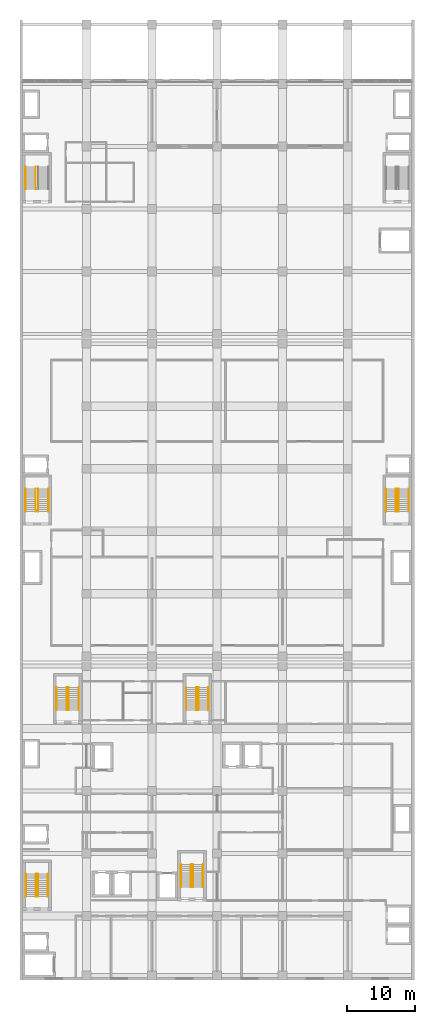
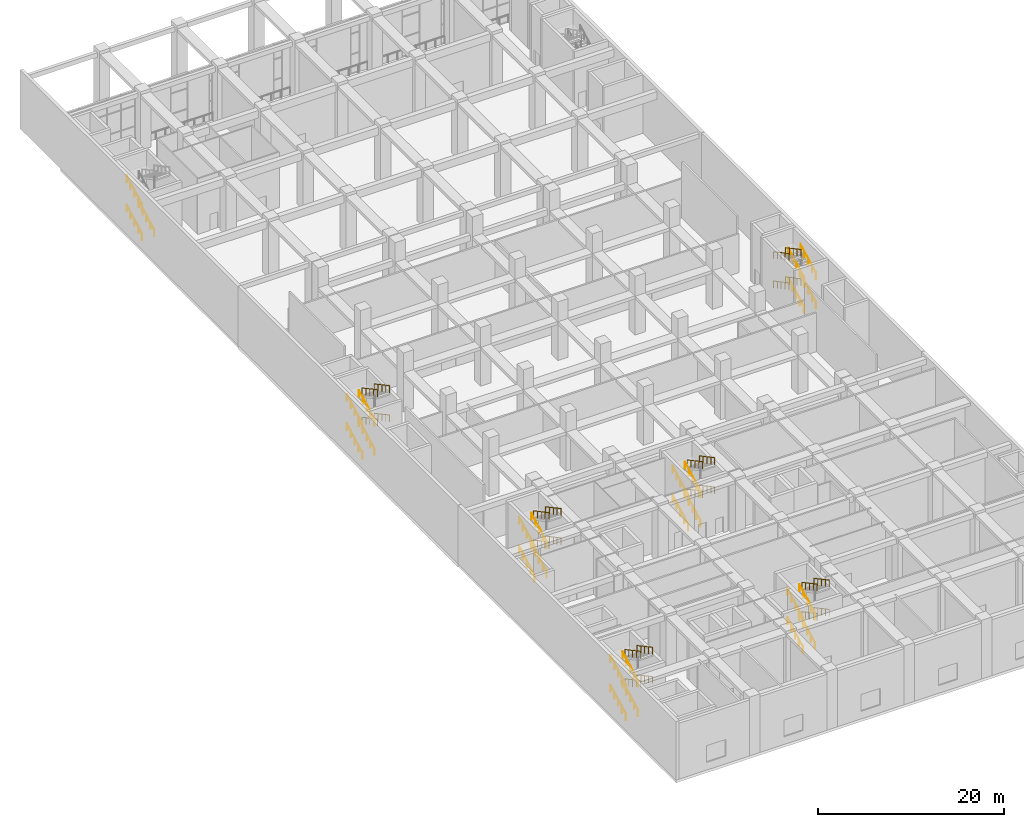
# One storey, part 19 of 33: 51 railings.
"""IFC4 building model written with IfcOpenShell, lengths in metres."""

import ifcopenshell
import ifcopenshell.guid

model = None  # the IFC model being written
_history = None  # IfcOwnerHistory: only IFC2X3 demands one
_inside = {}  # id of a spatial element -> (the spatial element, [elements in it])
_under = {}  # id of a project, library or spatial element -> (it, [spatial elements below it])
_declared = {}  # id of a project -> (the project, [libraries it declares])
_typed = {}  # id of a type object -> (the type object, [elements of that type])
_made_of = {}  # id of a material, layer set ... -> (it, [elements and type objects made of it])


def new_model(schema):
    """Start an empty IFC model of exactly this schema.

    Asked for "IFC4X3", IfcOpenShell would pick the latest addendum, in which some entities
    have other attributes; the version numbers below select the first issue.
    IFC2X3 requires an IfcOwnerHistory on every rooted entity: one is made here for all.
    """
    global model, _history
    if schema == "IFC4X3":
        model = ifcopenshell.file(schema_version=(4, 3, 0, 0))
    else:
        model = ifcopenshell.file(schema=schema)
    _inside.clear()
    _under.clear()
    _declared.clear()
    _typed.clear()
    _made_of.clear()
    _history = None
    if model.schema == "IFC2X3":
        org = make("IfcOrganization", Name="unknown")
        user = make(
            "IfcPersonAndOrganization",
            ThePerson=make("IfcPerson", FamilyName="unknown"),
            TheOrganization=org,
        )
        app = make(
            "IfcApplication",
            ApplicationDeveloper=org,
            Version="unknown",
            ApplicationFullName="unknown",
            ApplicationIdentifier="unknown",
        )
        _history = make(
            "IfcOwnerHistory",
            OwningUser=user,
            OwningApplication=app,
            ChangeAction="ADDED",
            CreationDate=0,
        )
    return model


def make(cls, **values):
    """One entity of the class cls with the attributes given. An attribute that is None is left unset."""
    return model.create_entity(
        cls, **{name: value for name, value in values.items() if value is not None}
    )


def rooted(cls, **values):
    """An entity with a GlobalId (a new one), such as an element, a storey or a relation."""
    return make(cls, GlobalId=ifcopenshell.guid.new(), OwnerHistory=_history, **values)


def si_unit(unit_type, name, prefix=None):
    """IfcSIUnit, for example si_unit("LENGTHUNIT", "METRE", prefix="MILLI")."""
    return make("IfcSIUnit", UnitType=unit_type, Prefix=prefix, Name=name)


def assignment(units):
    """IfcUnitAssignment: the units of a project."""
    return None if units is None else make("IfcUnitAssignment", Units=units)


def point(xyz):
    """IfcCartesianPoint."""
    return None if xyz is None else make("IfcCartesianPoint", Coordinates=xyz)


def direction(xyz):
    """IfcDirection."""
    return None if xyz is None else make("IfcDirection", DirectionRatios=xyz)


def frame(location, z_axis=None, x_axis=None):
    """IfcAxis2Placement3D, a coordinate frame: its origin and axes. An axis left out is left unset."""
    return make(
        "IfcAxis2Placement3D",
        Location=point(location),
        Axis=direction(z_axis),
        RefDirection=direction(x_axis),
    )


def frame_2d(location, x_axis=None):
    """IfcAxis2Placement2D, a coordinate frame in the plane: its origin and x axis."""
    return make(
        "IfcAxis2Placement2D", Location=point(location), RefDirection=direction(x_axis)
    )


def origin():
    """The frame at (0, 0, 0) with its axes left unset."""
    return frame((0.0, 0.0, 0.0))


def origin_2d():
    """The frame at (0, 0) in the plane with its x axis left unset."""
    return frame_2d((0.0, 0.0))


def place(relative_to, where):
    """IfcLocalPlacement: puts the frame where relative to a parent placement (None: the world)."""
    return make(
        "IfcLocalPlacement", PlacementRelTo=relative_to, RelativePlacement=where
    )


def context(
    kind, dimensions, precision=None, world=None, true_north=None, identifier=None
):
    """IfcGeometricRepresentationContext, for example the 3D "Model" context."""
    return make(
        "IfcGeometricRepresentationContext",
        ContextIdentifier=identifier,
        ContextType=kind,
        CoordinateSpaceDimension=dimensions,
        Precision=precision,
        WorldCoordinateSystem=world,
        TrueNorth=true_north,
    )


def subcontext(parent, identifier, kind, view, scale=None):
    """IfcGeometricRepresentationSubContext, for example "Body" below "Model"."""
    return make(
        "IfcGeometricRepresentationSubContext",
        ContextIdentifier=identifier,
        ContextType=kind,
        ParentContext=parent,
        TargetScale=scale,
        TargetView=view,
    )


def project(units=None, contexts=None):
    """IfcProject with its units and contexts."""
    return rooted(
        "IfcProject",
        Name="project",
        RepresentationContexts=contexts,
        UnitsInContext=assignment(units),
    )


def spatial(cls, under=None, at=None, **own):
    """A site, building, storey or space (cls), placed at a placement, below another one or the project."""
    s = rooted(cls, ObjectPlacement=at, **own)
    if under is not None:
        _under.setdefault(under.id(), (under, []))[1].append(s)
    return s


def profile(cls, at=None, kind="AREA", **sizes):
    """A parametric profile (cls). Its sizes go by their IFC names, for example OverallWidth=200.0."""
    return make(cls, ProfileType=kind, Position=at, **sizes)


def circle(**sizes):
    """IfcCircleProfileDef."""
    return profile("IfcCircleProfileDef", **sizes)


def extrude(swept, where, along, depth):
    """IfcExtrudedAreaSolid: the profile swept, set in the frame where, extruded along a direction by depth."""
    return make(
        "IfcExtrudedAreaSolid",
        SweptArea=swept,
        Position=where,
        ExtrudedDirection=direction(along),
        Depth=depth,
    )


def shape(context_of_items, identifier, shape_type, items):
    """IfcShapeRepresentation: the items that make up one representation, for example the "Body"."""
    return make(
        "IfcShapeRepresentation",
        ContextOfItems=context_of_items,
        RepresentationIdentifier=identifier,
        RepresentationType=shape_type,
        Items=items,
    )


def material(Name=None, Category=None):
    """IfcMaterial."""
    return make("IfcMaterial", Name=Name, Category=Category)


def made_of(thing, what):
    """Note that an element or type object is made of a material, layer set ...; save() writes the relation."""
    if what is not None:
        _made_of.setdefault(what.id(), (what, []))[1].append(thing)
    return thing


def type_object(cls, material=None, **own):
    """A type object (cls), such as IfcWallType, which elements share."""
    return made_of(rooted(cls, **own), material)


def element(
    cls,
    number,
    at=None,
    inside=None,
    cuts=None,
    type_object=None,
    material=None,
    context=None,
    identifier="Body",
    shape_type=None,
    held_by="IfcProductDefinitionShape",
    body=None,
    shapes=None,
    **own,
):
    """One element of the class cls, such as IfcWall. Its Tag is "e" and its number.

    at: its placement. inside: the storey or other place that contains it. cuts: it is an
    opening in that element (IfcRelVoidsElement). A single representation is given by context,
    identifier, shape_type and body (its items); several are given by shapes. held_by: the class
    of the entity that holds the representations. save() writes the other relations.
    """
    e = rooted(cls, Tag="e%d" % number, ObjectPlacement=at, **own)
    if body is not None:
        shapes = [shape(context, identifier, shape_type, body)]
    if shapes is not None:
        e.Representation = make(held_by, Representations=shapes)
    if inside is not None:
        _inside.setdefault(inside.id(), (inside, []))[1].append(e)
    if cuts is not None:
        rooted(
            "IfcRelVoidsElement", RelatingBuildingElement=cuts, RelatedOpeningElement=e
        )
    if type_object is not None:
        _typed.setdefault(type_object.id(), (type_object, []))[1].append(e)
    return made_of(e, material)


def aggregate(whole, parts):
    """IfcRelAggregates: a whole, such as a stair, and the parts it consists of."""
    return rooted("IfcRelAggregates", RelatingObject=whole, RelatedObjects=parts)


def save(model, path):
    """Write the relations noted so far, then the file.

    IfcRelAggregates (storeys below a building ...), IfcRelContainedInSpatialStructure (elements
    in a storey), IfcRelDefinesByType, IfcRelAssociatesMaterial and IfcRelDeclares: one each for
    every whole, place, type object, material and project.
    """
    for whole, parts in _under.values():
        aggregate(whole, parts)
    for where, things in _inside.values():
        rooted(
            "IfcRelContainedInSpatialStructure",
            RelatedElements=things,
            RelatingStructure=where,
        )
    for kind, things in _typed.values():
        rooted("IfcRelDefinesByType", RelatedObjects=things, RelatingType=kind)
    for what, things in _made_of.values():
        rooted("IfcRelAssociatesMaterial", RelatedObjects=things, RelatingMaterial=what)
    for by, libraries in _declared.values():
        rooted("IfcRelDeclares", RelatingContext=by, RelatedDefinitions=libraries)
    model.write(path)


model = new_model("IFC4")

# Units and contexts
model_context = context("Model", 3, precision=1e-05, world=origin(), true_north=direction((0.0, 1.0)))
body_context = subcontext(model_context, "Body", "Model", "MODEL_VIEW")
ifc_project = project(units=[si_unit("LENGTHUNIT", "METRE"), si_unit("AREAUNIT", "SQUARE_METRE"), si_unit("VOLUMEUNIT", "CUBIC_METRE"), si_unit("PLANEANGLEUNIT", "RADIAN"), si_unit("MASSUNIT", "GRAM", prefix="KILO")], contexts=[model_context])

# Site, building, storey
site_placement = place(None, origin())
site = spatial("IfcSite", under=ifc_project, at=site_placement, CompositionType="ELEMENT")
building_placement = place(site_placement, origin())
building = spatial("IfcBuilding", under=site, at=building_placement, Name="Nzadi Deep Aquarium and Research Tower", CompositionType="ELEMENT")
storey_placement = place(building_placement, frame((0.0, 0.0, 6.5)))
storey = spatial("IfcBuildingStorey", under=building, at=storey_placement, Name="L01", CompositionType="ELEMENT", Elevation=6.5)

# Railings
ifc_material = material(Name="Stainless steel 1.4301", Category="steel")
railing_type = type_object("IfcRailingType", Name="HANDRAIL 900", PredefinedType="HANDRAIL", material=ifc_material)
for number, where, name in (
    (1, (0.659912109375, 12.070068359375, 0.160400390625), "HR-ST-Z1-SW-L01-F1"),
    (2, (2.1650390625, 12.070068359375, 0.160400390625), "HR-ST-Z1-SW-L01-F1W"),
):
    element("IfcRailing", number, at=place(storey_placement, frame(where)), inside=storey, type_object=railing_type, Name=name, PredefinedType="HANDRAIL", context=body_context, shape_type="SweptSolid", body=[
        extrude(circle(Radius=0.02392578125, at=origin_2d()), frame((0.0, 0.0, 0.8759765625), z_axis=(0.0, 0.881839532441, 0.471549614595), x_axis=(-1.0, 0.0, 0.0)), (0.0, 0.0, 1.0), 3.7421875),
        extrude(circle(Radius=0.02099609375, at=origin_2d()), origin(), (0.0, 0.0, 1.0), 0.851806640625),
        extrude(circle(Radius=0.02099609375, at=origin_2d()), frame((0.0, 0.824951171875, 0.441162109375)), (0.0, 0.0, 1.0), 0.851806640625),
        extrude(circle(Radius=0.02099609375, at=origin_2d()), frame((0.0, 1.64990234375, 0.88232421875)), (0.0, 0.0, 1.0), 0.851806640625),
        extrude(circle(Radius=0.02099609375, at=origin_2d()), frame((0.0, 2.47509765625, 1.323486328125)), (0.0, 0.0, 1.0), 0.851806640625),
        extrude(circle(Radius=0.02099609375, at=origin_2d()), frame((0.0, 3.300048828125, 1.7646484375)), (0.0, 0.0, 1.0), 0.851806640625),
    ])
for number, where, name in (
    (3, (3.93994140625, 15.3701171875, 2.08544921875), "HR-ST-Z1-SW-L01-F2"),
    (4, (2.43505859375, 15.3701171875, 2.08544921875), "HR-ST-Z1-SW-L01-F2W"),
):
    element("IfcRailing", number, at=place(storey_placement, frame(where)), inside=storey, type_object=railing_type, Name=name, PredefinedType="HANDRAIL", context=body_context, shape_type="SweptSolid", body=[
        extrude(circle(Radius=0.02392578125, at=origin_2d()), frame((0.0, 0.0, 0.8759765625), z_axis=(0.0, -0.881839532441, 0.471549614595), x_axis=(1.0, 0.0, 0.0)), (0.0, 0.0, 1.0), 3.7421875),
        extrude(circle(Radius=0.02099609375, at=origin_2d()), origin(), (0.0, 0.0, 1.0), 0.851806640625),
        extrude(circle(Radius=0.02099609375, at=origin_2d()), frame((0.0, -0.824951171875, 0.441162109375)), (0.0, 0.0, 1.0), 0.851806640625),
        extrude(circle(Radius=0.02099609375, at=origin_2d()), frame((0.0, -1.64990234375, 0.88232421875)), (0.0, 0.0, 1.0), 0.851806640625),
        extrude(circle(Radius=0.02099609375, at=origin_2d()), frame((0.0, -2.47509765625, 1.323486328125)), (0.0, 0.0, 1.0), 0.851806640625),
        extrude(circle(Radius=0.02099609375, at=origin_2d()), frame((0.0, -3.300048828125, 1.7646484375)), (0.0, 0.0, 1.0), 0.851806640625),
    ])
for number, where, name in (
    (5, (0.659912109375, 12.070068359375, 4.010498046875), "HR-ST-Z1-SW-L01-F3"),
    (6, (2.1650390625, 12.070068359375, 4.010498046875), "HR-ST-Z1-SW-L01-F3W"),
):
    element("IfcRailing", number, at=place(storey_placement, frame(where)), inside=storey, type_object=railing_type, Name=name, PredefinedType="HANDRAIL", context=body_context, shape_type="SweptSolid", body=[
        extrude(circle(Radius=0.02392578125, at=origin_2d()), frame((0.0, 0.0, 0.8759765625), z_axis=(0.0, 0.881866660343, 0.471498879507), x_axis=(-1.0, 0.0, 0.0)), (0.0, 0.0, 1.0), 3.7421875),
        extrude(circle(Radius=0.02099609375, at=origin_2d()), origin(), (0.0, 0.0, 1.0), 0.851806640625),
        extrude(circle(Radius=0.02099609375, at=origin_2d()), frame((0.0, 0.824951171875, 0.441162109375)), (0.0, 0.0, 1.0), 0.851806640625),
        extrude(circle(Radius=0.02099609375, at=origin_2d()), frame((0.0, 1.64990234375, 0.88232421875)), (0.0, 0.0, 1.0), 0.851806640625),
        extrude(circle(Radius=0.02099609375, at=origin_2d()), frame((0.0, 2.47509765625, 1.3232421875)), (0.0, 0.0, 1.0), 0.851806640625),
        extrude(circle(Radius=0.02099609375, at=origin_2d()), frame((0.0, 3.300048828125, 1.764404296875)), (0.0, 0.0, 1.0), 0.851806640625),
    ])
for number, where, name in (
    (7, (3.93994140625, 15.3701171875, 5.935302734375), "HR-ST-Z1-SW-L01-F4"),
    (8, (2.43505859375, 15.3701171875, 5.935302734375), "HR-ST-Z1-SW-L01-F4W"),
):
    element("IfcRailing", number, at=place(storey_placement, frame(where)), inside=storey, type_object=railing_type, Name=name, PredefinedType="HANDRAIL", context=body_context, shape_type="SweptSolid", body=[
        extrude(circle(Radius=0.02392578125, at=origin_2d()), frame((0.0, 0.0, 0.8759765625), z_axis=(0.0, -0.881839532441, 0.471549614595), x_axis=(1.0, 0.0, 0.0)), (0.0, 0.0, 1.0), 3.7421875),
        extrude(circle(Radius=0.02099609375, at=origin_2d()), origin(), (0.0, 0.0, 1.0), 0.851806640625),
        extrude(circle(Radius=0.02099609375, at=origin_2d()), frame((0.0, -0.824951171875, 0.441162109375)), (0.0, 0.0, 1.0), 0.851806640625),
        extrude(circle(Radius=0.02099609375, at=origin_2d()), frame((0.0, -1.64990234375, 0.88232421875)), (0.0, 0.0, 1.0), 0.851806640625),
        extrude(circle(Radius=0.02099609375, at=origin_2d()), frame((0.0, -2.47509765625, 1.323486328125)), (0.0, 0.0, 1.0), 0.851806640625),
        extrude(circle(Radius=0.02099609375, at=origin_2d()), frame((0.0, -3.300048828125, 1.7646484375)), (0.0, 0.0, 1.0), 0.851806640625),
    ])
for number, where, name in (
    (9, (23.4599609375, 13.469970703125, 0.160400390625), "HR-ST-Z1-SE-L01-F1"),
    (10, (24.965087890625, 13.469970703125, 0.160400390625), "HR-ST-Z1-SE-L01-F1W"),
):
    element("IfcRailing", number, at=place(storey_placement, frame(where)), inside=storey, type_object=railing_type, Name=name, PredefinedType="HANDRAIL", context=body_context, shape_type="SweptSolid", body=[
        extrude(circle(Radius=0.02392578125, at=origin_2d()), frame((0.0, 0.0, 0.8759765625), z_axis=(0.0, 0.881839532441, 0.471549614595), x_axis=(-1.0, 0.0, 0.0)), (0.0, 0.0, 1.0), 3.7421875),
        extrude(circle(Radius=0.02099609375, at=origin_2d()), origin(), (0.0, 0.0, 1.0), 0.851806640625),
        extrude(circle(Radius=0.02099609375, at=origin_2d()), frame((0.0, 0.824951171875, 0.441162109375)), (0.0, 0.0, 1.0), 0.851806640625),
        extrude(circle(Radius=0.02099609375, at=origin_2d()), frame((0.0, 1.64990234375, 0.88232421875)), (0.0, 0.0, 1.0), 0.851806640625),
        extrude(circle(Radius=0.02099609375, at=origin_2d()), frame((0.0, 2.47509765625, 1.323486328125)), (0.0, 0.0, 1.0), 0.851806640625),
        extrude(circle(Radius=0.02099609375, at=origin_2d()), frame((0.0, 3.300048828125, 1.7646484375)), (0.0, 0.0, 1.0), 0.851806640625),
    ])
for number, where, name in (
    (11, (26.739990234375, 16.77001953125, 2.08544921875), "HR-ST-Z1-SE-L01-F2"),
    (12, (25.235107421875, 16.77001953125, 2.08544921875), "HR-ST-Z1-SE-L01-F2W"),
):
    element("IfcRailing", number, at=place(storey_placement, frame(where)), inside=storey, type_object=railing_type, Name=name, PredefinedType="HANDRAIL", context=body_context, shape_type="SweptSolid", body=[
        extrude(circle(Radius=0.02392578125, at=origin_2d()), frame((0.0, 0.0, 0.8759765625), z_axis=(0.0, -0.881839532441, 0.471549614595), x_axis=(1.0, 0.0, 0.0)), (0.0, 0.0, 1.0), 3.7421875),
        extrude(circle(Radius=0.02099609375, at=origin_2d()), origin(), (0.0, 0.0, 1.0), 0.851806640625),
        extrude(circle(Radius=0.02099609375, at=origin_2d()), frame((0.0, -0.824951171875, 0.441162109375)), (0.0, 0.0, 1.0), 0.851806640625),
        extrude(circle(Radius=0.02099609375, at=origin_2d()), frame((0.0, -1.64990234375, 0.88232421875)), (0.0, 0.0, 1.0), 0.851806640625),
        extrude(circle(Radius=0.02099609375, at=origin_2d()), frame((0.0, -2.47509765625, 1.323486328125)), (0.0, 0.0, 1.0), 0.851806640625),
        extrude(circle(Radius=0.02099609375, at=origin_2d()), frame((0.0, -3.300048828125, 1.7646484375)), (0.0, 0.0, 1.0), 0.851806640625),
    ])
for number, where, name in (
    (13, (23.4599609375, 13.469970703125, 4.010498046875), "HR-ST-Z1-SE-L01-F3"),
    (14, (24.965087890625, 13.469970703125, 4.010498046875), "HR-ST-Z1-SE-L01-F3W"),
):
    element("IfcRailing", number, at=place(storey_placement, frame(where)), inside=storey, type_object=railing_type, Name=name, PredefinedType="HANDRAIL", context=body_context, shape_type="SweptSolid", body=[
        extrude(circle(Radius=0.02392578125, at=origin_2d()), frame((0.0, 0.0, 0.8759765625), z_axis=(0.0, 0.881866660343, 0.471498879507), x_axis=(-1.0, 0.0, 0.0)), (0.0, 0.0, 1.0), 3.7421875),
        extrude(circle(Radius=0.02099609375, at=origin_2d()), origin(), (0.0, 0.0, 1.0), 0.851806640625),
        extrude(circle(Radius=0.02099609375, at=origin_2d()), frame((0.0, 0.824951171875, 0.441162109375)), (0.0, 0.0, 1.0), 0.851806640625),
        extrude(circle(Radius=0.02099609375, at=origin_2d()), frame((0.0, 1.64990234375, 0.88232421875)), (0.0, 0.0, 1.0), 0.851806640625),
        extrude(circle(Radius=0.02099609375, at=origin_2d()), frame((0.0, 2.47509765625, 1.3232421875)), (0.0, 0.0, 1.0), 0.851806640625),
        extrude(circle(Radius=0.02099609375, at=origin_2d()), frame((0.0, 3.300048828125, 1.764404296875)), (0.0, 0.0, 1.0), 0.851806640625),
    ])
for number, where, name in (
    (15, (26.739990234375, 16.77001953125, 5.935302734375), "HR-ST-Z1-SE-L01-F4"),
    (16, (25.235107421875, 16.77001953125, 5.935302734375), "HR-ST-Z1-SE-L01-F4W"),
):
    element("IfcRailing", number, at=place(storey_placement, frame(where)), inside=storey, type_object=railing_type, Name=name, PredefinedType="HANDRAIL", context=body_context, shape_type="SweptSolid", body=[
        extrude(circle(Radius=0.02392578125, at=origin_2d()), frame((0.0, 0.0, 0.8759765625), z_axis=(0.0, -0.881839532441, 0.471549614595), x_axis=(1.0, 0.0, 0.0)), (0.0, 0.0, 1.0), 3.7421875),
        extrude(circle(Radius=0.02099609375, at=origin_2d()), origin(), (0.0, 0.0, 1.0), 0.851806640625),
        extrude(circle(Radius=0.02099609375, at=origin_2d()), frame((0.0, -0.824951171875, 0.441162109375)), (0.0, 0.0, 1.0), 0.851806640625),
        extrude(circle(Radius=0.02099609375, at=origin_2d()), frame((0.0, -1.64990234375, 0.88232421875)), (0.0, 0.0, 1.0), 0.851806640625),
        extrude(circle(Radius=0.02099609375, at=origin_2d()), frame((0.0, -2.47509765625, 1.323486328125)), (0.0, 0.0, 1.0), 0.851806640625),
        extrude(circle(Radius=0.02099609375, at=origin_2d()), frame((0.0, -3.300048828125, 1.7646484375)), (0.0, 0.0, 1.0), 0.851806640625),
    ])
for number, where, name in (
    (17, (5.159912109375, 39.52001953125, 0.160400390625), "HR-ST-Z1-NW-L01-F1"),
    (18, (6.6650390625, 39.52001953125, 0.160400390625), "HR-ST-Z1-NW-L01-F1W"),
):
    element("IfcRailing", number, at=place(storey_placement, frame(where)), inside=storey, type_object=railing_type, Name=name, PredefinedType="HANDRAIL", context=body_context, shape_type="SweptSolid", body=[
        extrude(circle(Radius=0.02392578125, at=origin_2d()), frame((0.0, 0.0, 0.8759765625), z_axis=(0.0, 0.881839532441, 0.471549614595), x_axis=(-1.0, 0.0, 0.0)), (0.0, 0.0, 1.0), 3.7421875),
        extrude(circle(Radius=0.02099609375, at=origin_2d()), origin(), (0.0, 0.0, 1.0), 0.851806640625),
        extrude(circle(Radius=0.02099609375, at=origin_2d()), frame((0.0, 0.824951171875, 0.441162109375)), (0.0, 0.0, 1.0), 0.851806640625),
        extrude(circle(Radius=0.02099609375, at=origin_2d()), frame((0.0, 1.64990234375, 0.88232421875)), (0.0, 0.0, 1.0), 0.851806640625),
        extrude(circle(Radius=0.02099609375, at=origin_2d()), frame((0.0, 2.47509765625, 1.323486328125)), (0.0, 0.0, 1.0), 0.851806640625),
        extrude(circle(Radius=0.02099609375, at=origin_2d()), frame((0.0, 3.300048828125, 1.7646484375)), (0.0, 0.0, 1.0), 0.851806640625),
    ])
for number, where, name in (
    (19, (8.43994140625, 42.820068359375, 2.08544921875), "HR-ST-Z1-NW-L01-F2"),
    (20, (6.93505859375, 42.820068359375, 2.08544921875), "HR-ST-Z1-NW-L01-F2W"),
):
    element("IfcRailing", number, at=place(storey_placement, frame(where)), inside=storey, type_object=railing_type, Name=name, PredefinedType="HANDRAIL", context=body_context, shape_type="SweptSolid", body=[
        extrude(circle(Radius=0.02392578125, at=origin_2d()), frame((0.0, 0.0, 0.8759765625), z_axis=(0.0, -0.881839532441, 0.471549614595), x_axis=(1.0, 0.0, 0.0)), (0.0, 0.0, 1.0), 3.7421875),
        extrude(circle(Radius=0.02099609375, at=origin_2d()), origin(), (0.0, 0.0, 1.0), 0.851806640625),
        extrude(circle(Radius=0.02099609375, at=origin_2d()), frame((0.0, -0.824951171875, 0.441162109375)), (0.0, 0.0, 1.0), 0.851806640625),
        extrude(circle(Radius=0.02099609375, at=origin_2d()), frame((0.0, -1.64990234375, 0.88232421875)), (0.0, 0.0, 1.0), 0.851806640625),
        extrude(circle(Radius=0.02099609375, at=origin_2d()), frame((0.0, -2.47509765625, 1.323486328125)), (0.0, 0.0, 1.0), 0.851806640625),
        extrude(circle(Radius=0.02099609375, at=origin_2d()), frame((0.0, -3.300048828125, 1.7646484375)), (0.0, 0.0, 1.0), 0.851806640625),
    ])
for number, where, name in (
    (21, (5.159912109375, 39.52001953125, 4.010498046875), "HR-ST-Z1-NW-L01-F3"),
    (22, (6.6650390625, 39.52001953125, 4.010498046875), "HR-ST-Z1-NW-L01-F3W"),
):
    element("IfcRailing", number, at=place(storey_placement, frame(where)), inside=storey, type_object=railing_type, Name=name, PredefinedType="HANDRAIL", context=body_context, shape_type="SweptSolid", body=[
        extrude(circle(Radius=0.02392578125, at=origin_2d()), frame((0.0, 0.0, 0.8759765625), z_axis=(0.0, 0.881866660343, 0.471498879507), x_axis=(-1.0, 0.0, 0.0)), (0.0, 0.0, 1.0), 3.7421875),
        extrude(circle(Radius=0.02099609375, at=origin_2d()), origin(), (0.0, 0.0, 1.0), 0.851806640625),
        extrude(circle(Radius=0.02099609375, at=origin_2d()), frame((0.0, 0.824951171875, 0.441162109375)), (0.0, 0.0, 1.0), 0.851806640625),
        extrude(circle(Radius=0.02099609375, at=origin_2d()), frame((0.0, 1.64990234375, 0.88232421875)), (0.0, 0.0, 1.0), 0.851806640625),
        extrude(circle(Radius=0.02099609375, at=origin_2d()), frame((0.0, 2.47509765625, 1.3232421875)), (0.0, 0.0, 1.0), 0.851806640625),
        extrude(circle(Radius=0.02099609375, at=origin_2d()), frame((0.0, 3.300048828125, 1.764404296875)), (0.0, 0.0, 1.0), 0.851806640625),
    ])
for number, where, name in (
    (23, (8.43994140625, 42.820068359375, 5.935302734375), "HR-ST-Z1-NW-L01-F4"),
    (24, (6.93505859375, 42.820068359375, 5.935302734375), "HR-ST-Z1-NW-L01-F4W"),
):
    element("IfcRailing", number, at=place(storey_placement, frame(where)), inside=storey, type_object=railing_type, Name=name, PredefinedType="HANDRAIL", context=body_context, shape_type="SweptSolid", body=[
        extrude(circle(Radius=0.02392578125, at=origin_2d()), frame((0.0, 0.0, 0.8759765625), z_axis=(0.0, -0.881839532441, 0.471549614595), x_axis=(1.0, 0.0, 0.0)), (0.0, 0.0, 1.0), 3.7421875),
        extrude(circle(Radius=0.02099609375, at=origin_2d()), origin(), (0.0, 0.0, 1.0), 0.851806640625),
        extrude(circle(Radius=0.02099609375, at=origin_2d()), frame((0.0, -0.824951171875, 0.441162109375)), (0.0, 0.0, 1.0), 0.851806640625),
        extrude(circle(Radius=0.02099609375, at=origin_2d()), frame((0.0, -1.64990234375, 0.88232421875)), (0.0, 0.0, 1.0), 0.851806640625),
        extrude(circle(Radius=0.02099609375, at=origin_2d()), frame((0.0, -2.47509765625, 1.323486328125)), (0.0, 0.0, 1.0), 0.851806640625),
        extrude(circle(Radius=0.02099609375, at=origin_2d()), frame((0.0, -3.300048828125, 1.7646484375)), (0.0, 0.0, 1.0), 0.851806640625),
    ])
for number, where, name in (
    (25, (24.260009765625, 39.52001953125, 0.160400390625), "HR-ST-Z1-NE-L01-F1"),
    (26, (25.764892578125, 39.52001953125, 0.160400390625), "HR-ST-Z1-NE-L01-F1W"),
):
    element("IfcRailing", number, at=place(storey_placement, frame(where)), inside=storey, type_object=railing_type, Name=name, PredefinedType="HANDRAIL", context=body_context, shape_type="SweptSolid", body=[
        extrude(circle(Radius=0.02392578125, at=origin_2d()), frame((0.0, 0.0, 0.8759765625), z_axis=(0.0, 0.881839532441, 0.471549614595), x_axis=(-1.0, 0.0, 0.0)), (0.0, 0.0, 1.0), 3.7421875),
        extrude(circle(Radius=0.02099609375, at=origin_2d()), origin(), (0.0, 0.0, 1.0), 0.851806640625),
        extrude(circle(Radius=0.02099609375, at=origin_2d()), frame((0.0, 0.824951171875, 0.441162109375)), (0.0, 0.0, 1.0), 0.851806640625),
        extrude(circle(Radius=0.02099609375, at=origin_2d()), frame((0.0, 1.64990234375, 0.88232421875)), (0.0, 0.0, 1.0), 0.851806640625),
        extrude(circle(Radius=0.02099609375, at=origin_2d()), frame((0.0, 2.47509765625, 1.323486328125)), (0.0, 0.0, 1.0), 0.851806640625),
        extrude(circle(Radius=0.02099609375, at=origin_2d()), frame((0.0, 3.300048828125, 1.7646484375)), (0.0, 0.0, 1.0), 0.851806640625),
    ])
for number, where, name in (
    (27, (27.5400390625, 42.820068359375, 2.08544921875), "HR-ST-Z1-NE-L01-F2"),
    (28, (26.034912109375, 42.820068359375, 2.08544921875), "HR-ST-Z1-NE-L01-F2W"),
):
    element("IfcRailing", number, at=place(storey_placement, frame(where)), inside=storey, type_object=railing_type, Name=name, PredefinedType="HANDRAIL", context=body_context, shape_type="SweptSolid", body=[
        extrude(circle(Radius=0.02392578125, at=origin_2d()), frame((0.0, 0.0, 0.8759765625), z_axis=(0.0, -0.881839532441, 0.471549614595), x_axis=(1.0, 0.0, 0.0)), (0.0, 0.0, 1.0), 3.7421875),
        extrude(circle(Radius=0.02099609375, at=origin_2d()), origin(), (0.0, 0.0, 1.0), 0.851806640625),
        extrude(circle(Radius=0.02099609375, at=origin_2d()), frame((0.0, -0.824951171875, 0.441162109375)), (0.0, 0.0, 1.0), 0.851806640625),
        extrude(circle(Radius=0.02099609375, at=origin_2d()), frame((0.0, -1.64990234375, 0.88232421875)), (0.0, 0.0, 1.0), 0.851806640625),
        extrude(circle(Radius=0.02099609375, at=origin_2d()), frame((0.0, -2.47509765625, 1.323486328125)), (0.0, 0.0, 1.0), 0.851806640625),
        extrude(circle(Radius=0.02099609375, at=origin_2d()), frame((0.0, -3.300048828125, 1.7646484375)), (0.0, 0.0, 1.0), 0.851806640625),
    ])
for number, where, name in (
    (29, (24.260009765625, 39.52001953125, 4.010498046875), "HR-ST-Z1-NE-L01-F3"),
    (30, (25.764892578125, 39.52001953125, 4.010498046875), "HR-ST-Z1-NE-L01-F3W"),
):
    element("IfcRailing", number, at=place(storey_placement, frame(where)), inside=storey, type_object=railing_type, Name=name, PredefinedType="HANDRAIL", context=body_context, shape_type="SweptSolid", body=[
        extrude(circle(Radius=0.02392578125, at=origin_2d()), frame((0.0, 0.0, 0.8759765625), z_axis=(0.0, 0.881866660343, 0.471498879507), x_axis=(-1.0, 0.0, 0.0)), (0.0, 0.0, 1.0), 3.7421875),
        extrude(circle(Radius=0.02099609375, at=origin_2d()), origin(), (0.0, 0.0, 1.0), 0.851806640625),
        extrude(circle(Radius=0.02099609375, at=origin_2d()), frame((0.0, 0.824951171875, 0.441162109375)), (0.0, 0.0, 1.0), 0.851806640625),
        extrude(circle(Radius=0.02099609375, at=origin_2d()), frame((0.0, 1.64990234375, 0.88232421875)), (0.0, 0.0, 1.0), 0.851806640625),
        extrude(circle(Radius=0.02099609375, at=origin_2d()), frame((0.0, 2.47509765625, 1.3232421875)), (0.0, 0.0, 1.0), 0.851806640625),
        extrude(circle(Radius=0.02099609375, at=origin_2d()), frame((0.0, 3.300048828125, 1.764404296875)), (0.0, 0.0, 1.0), 0.851806640625),
    ])
for number, where, name in (
    (31, (27.5400390625, 42.820068359375, 5.935302734375), "HR-ST-Z1-NE-L01-F4"),
    (32, (26.034912109375, 42.820068359375, 5.935302734375), "HR-ST-Z1-NE-L01-F4W"),
):
    element("IfcRailing", number, at=place(storey_placement, frame(where)), inside=storey, type_object=railing_type, Name=name, PredefinedType="HANDRAIL", context=body_context, shape_type="SweptSolid", body=[
        extrude(circle(Radius=0.02392578125, at=origin_2d()), frame((0.0, 0.0, 0.8759765625), z_axis=(0.0, -0.881839532441, 0.471549614595), x_axis=(1.0, 0.0, 0.0)), (0.0, 0.0, 1.0), 3.7421875),
        extrude(circle(Radius=0.02099609375, at=origin_2d()), origin(), (0.0, 0.0, 1.0), 0.851806640625),
        extrude(circle(Radius=0.02099609375, at=origin_2d()), frame((0.0, -0.824951171875, 0.441162109375)), (0.0, 0.0, 1.0), 0.851806640625),
        extrude(circle(Radius=0.02099609375, at=origin_2d()), frame((0.0, -1.64990234375, 0.88232421875)), (0.0, 0.0, 1.0), 0.851806640625),
        extrude(circle(Radius=0.02099609375, at=origin_2d()), frame((0.0, -2.47509765625, 1.323486328125)), (0.0, 0.0, 1.0), 0.851806640625),
        extrude(circle(Radius=0.02099609375, at=origin_2d()), frame((0.0, -3.300048828125, 1.7646484375)), (0.0, 0.0, 1.0), 0.851806640625),
    ])
for number, where, name in (
    (33, (0.610107421875, 68.7099609375, 0.160400390625), "HR-ST-Z2-W-L01-F1"),
    (34, (2.114990234375, 68.7099609375, 0.160400390625), "HR-ST-Z2-W-L01-F1W"),
):
    element("IfcRailing", number, at=place(storey_placement, frame(where)), inside=storey, type_object=railing_type, Name=name, PredefinedType="HANDRAIL", context=body_context, shape_type="SweptSolid", body=[
        extrude(circle(Radius=0.02392578125, at=origin_2d()), frame((0.0, 0.0, 0.8759765625), z_axis=(0.0, 0.881839532441, 0.471549614595), x_axis=(-1.0, 0.0, 0.0)), (0.0, 0.0, 1.0), 3.7421875),
        extrude(circle(Radius=0.02099609375, at=origin_2d()), origin(), (0.0, 0.0, 1.0), 0.851806640625),
        extrude(circle(Radius=0.02099609375, at=origin_2d()), frame((0.0, 0.824951171875, 0.441162109375)), (0.0, 0.0, 1.0), 0.851806640625),
        extrude(circle(Radius=0.02099609375, at=origin_2d()), frame((0.0, 1.64990234375, 0.88232421875)), (0.0, 0.0, 1.0), 0.851806640625),
        extrude(circle(Radius=0.02099609375, at=origin_2d()), frame((0.0, 2.47509765625, 1.323486328125)), (0.0, 0.0, 1.0), 0.851806640625),
        extrude(circle(Radius=0.02099609375, at=origin_2d()), frame((0.0, 3.300048828125, 1.7646484375)), (0.0, 0.0, 1.0), 0.851806640625),
    ])
for number, where, name in (
    (35, (3.989990234375, 72.010009765625, 2.08544921875), "HR-ST-Z2-W-L01-F2"),
    (36, (2.485107421875, 72.010009765625, 2.08544921875), "HR-ST-Z2-W-L01-F2W"),
):
    element("IfcRailing", number, at=place(storey_placement, frame(where)), inside=storey, type_object=railing_type, Name=name, PredefinedType="HANDRAIL", context=body_context, shape_type="SweptSolid", body=[
        extrude(circle(Radius=0.02392578125, at=origin_2d()), frame((0.0, 0.0, 0.8759765625), z_axis=(0.0, -0.881839532441, 0.471549614595), x_axis=(1.0, 0.0, 0.0)), (0.0, 0.0, 1.0), 3.7421875),
        extrude(circle(Radius=0.02099609375, at=origin_2d()), origin(), (0.0, 0.0, 1.0), 0.851806640625),
        extrude(circle(Radius=0.02099609375, at=origin_2d()), frame((0.0, -0.824951171875, 0.441162109375)), (0.0, 0.0, 1.0), 0.851806640625),
        extrude(circle(Radius=0.02099609375, at=origin_2d()), frame((0.0, -1.64990234375, 0.88232421875)), (0.0, 0.0, 1.0), 0.851806640625),
        extrude(circle(Radius=0.02099609375, at=origin_2d()), frame((0.0, -2.47509765625, 1.323486328125)), (0.0, 0.0, 1.0), 0.851806640625),
        extrude(circle(Radius=0.02099609375, at=origin_2d()), frame((0.0, -3.300048828125, 1.7646484375)), (0.0, 0.0, 1.0), 0.851806640625),
    ])
for number, where, name in (
    (37, (0.610107421875, 68.7099609375, 4.010498046875), "HR-ST-Z2-W-L01-F3"),
    (38, (2.114990234375, 68.7099609375, 4.010498046875), "HR-ST-Z2-W-L01-F3W"),
):
    element("IfcRailing", number, at=place(storey_placement, frame(where)), inside=storey, type_object=railing_type, Name=name, PredefinedType="HANDRAIL", context=body_context, shape_type="SweptSolid", body=[
        extrude(circle(Radius=0.02392578125, at=origin_2d()), frame((0.0, 0.0, 0.8759765625), z_axis=(0.0, 0.881866660343, 0.471498879507), x_axis=(-1.0, 0.0, 0.0)), (0.0, 0.0, 1.0), 3.7421875),
        extrude(circle(Radius=0.02099609375, at=origin_2d()), origin(), (0.0, 0.0, 1.0), 0.851806640625),
        extrude(circle(Radius=0.02099609375, at=origin_2d()), frame((0.0, 0.824951171875, 0.441162109375)), (0.0, 0.0, 1.0), 0.851806640625),
        extrude(circle(Radius=0.02099609375, at=origin_2d()), frame((0.0, 1.64990234375, 0.88232421875)), (0.0, 0.0, 1.0), 0.851806640625),
        extrude(circle(Radius=0.02099609375, at=origin_2d()), frame((0.0, 2.47509765625, 1.3232421875)), (0.0, 0.0, 1.0), 0.851806640625),
        extrude(circle(Radius=0.02099609375, at=origin_2d()), frame((0.0, 3.300048828125, 1.764404296875)), (0.0, 0.0, 1.0), 0.851806640625),
    ])
for number, where, name in (
    (39, (3.989990234375, 72.010009765625, 5.935302734375), "HR-ST-Z2-W-L01-F4"),
    (40, (2.485107421875, 72.010009765625, 5.935302734375), "HR-ST-Z2-W-L01-F4W"),
):
    element("IfcRailing", number, at=place(storey_placement, frame(where)), inside=storey, type_object=railing_type, Name=name, PredefinedType="HANDRAIL", context=body_context, shape_type="SweptSolid", body=[
        extrude(circle(Radius=0.02392578125, at=origin_2d()), frame((0.0, 0.0, 0.8759765625), z_axis=(0.0, -0.881839532441, 0.471549614595), x_axis=(1.0, 0.0, 0.0)), (0.0, 0.0, 1.0), 3.7421875),
        extrude(circle(Radius=0.02099609375, at=origin_2d()), origin(), (0.0, 0.0, 1.0), 0.851806640625),
        extrude(circle(Radius=0.02099609375, at=origin_2d()), frame((0.0, -0.824951171875, 0.441162109375)), (0.0, 0.0, 1.0), 0.851806640625),
        extrude(circle(Radius=0.02099609375, at=origin_2d()), frame((0.0, -1.64990234375, 0.88232421875)), (0.0, 0.0, 1.0), 0.851806640625),
        extrude(circle(Radius=0.02099609375, at=origin_2d()), frame((0.0, -2.47509765625, 1.323486328125)), (0.0, 0.0, 1.0), 0.851806640625),
        extrude(circle(Radius=0.02099609375, at=origin_2d()), frame((0.0, -3.300048828125, 1.7646484375)), (0.0, 0.0, 1.0), 0.851806640625),
    ])
for number, where, name in (
    (41, (56.989990234375, 68.7099609375, 0.160400390625), "HR-ST-Z2-E-L01-F1"),
    (42, (55.485107421875, 68.7099609375, 0.160400390625), "HR-ST-Z2-E-L01-F1W"),
):
    element("IfcRailing", number, at=place(storey_placement, frame(where)), inside=storey, type_object=railing_type, Name=name, PredefinedType="HANDRAIL", context=body_context, shape_type="SweptSolid", body=[
        extrude(circle(Radius=0.02392578125, at=origin_2d()), frame((0.0, 0.0, 0.8759765625), z_axis=(0.0, 0.881839532441, 0.471549614595), x_axis=(-1.0, 0.0, 0.0)), (0.0, 0.0, 1.0), 3.7421875),
        extrude(circle(Radius=0.02099609375, at=origin_2d()), origin(), (0.0, 0.0, 1.0), 0.851806640625),
        extrude(circle(Radius=0.02099609375, at=origin_2d()), frame((0.0, 0.824951171875, 0.441162109375)), (0.0, 0.0, 1.0), 0.851806640625),
        extrude(circle(Radius=0.02099609375, at=origin_2d()), frame((0.0, 1.64990234375, 0.88232421875)), (0.0, 0.0, 1.0), 0.851806640625),
        extrude(circle(Radius=0.02099609375, at=origin_2d()), frame((0.0, 2.47509765625, 1.323486328125)), (0.0, 0.0, 1.0), 0.851806640625),
        extrude(circle(Radius=0.02099609375, at=origin_2d()), frame((0.0, 3.300048828125, 1.7646484375)), (0.0, 0.0, 1.0), 0.851806640625),
    ])
for number, where, name in (
    (43, (53.610107421875, 72.010009765625, 2.08544921875), "HR-ST-Z2-E-L01-F2"),
    (44, (55.114990234375, 72.010009765625, 2.08544921875), "HR-ST-Z2-E-L01-F2W"),
):
    element("IfcRailing", number, at=place(storey_placement, frame(where)), inside=storey, type_object=railing_type, Name=name, PredefinedType="HANDRAIL", context=body_context, shape_type="SweptSolid", body=[
        extrude(circle(Radius=0.02392578125, at=origin_2d()), frame((0.0, 0.0, 0.8759765625), z_axis=(0.0, -0.881839532441, 0.471549614595), x_axis=(1.0, 0.0, 0.0)), (0.0, 0.0, 1.0), 3.7421875),
        extrude(circle(Radius=0.02099609375, at=origin_2d()), origin(), (0.0, 0.0, 1.0), 0.851806640625),
        extrude(circle(Radius=0.02099609375, at=origin_2d()), frame((0.0, -0.824951171875, 0.441162109375)), (0.0, 0.0, 1.0), 0.851806640625),
        extrude(circle(Radius=0.02099609375, at=origin_2d()), frame((0.0, -1.64990234375, 0.88232421875)), (0.0, 0.0, 1.0), 0.851806640625),
        extrude(circle(Radius=0.02099609375, at=origin_2d()), frame((0.0, -2.47509765625, 1.323486328125)), (0.0, 0.0, 1.0), 0.851806640625),
        extrude(circle(Radius=0.02099609375, at=origin_2d()), frame((0.0, -3.300048828125, 1.7646484375)), (0.0, 0.0, 1.0), 0.851806640625),
    ])
for number, where, name in (
    (45, (56.989990234375, 68.7099609375, 4.010498046875), "HR-ST-Z2-E-L01-F3"),
    (46, (55.485107421875, 68.7099609375, 4.010498046875), "HR-ST-Z2-E-L01-F3W"),
):
    element("IfcRailing", number, at=place(storey_placement, frame(where)), inside=storey, type_object=railing_type, Name=name, PredefinedType="HANDRAIL", context=body_context, shape_type="SweptSolid", body=[
        extrude(circle(Radius=0.02392578125, at=origin_2d()), frame((0.0, 0.0, 0.8759765625), z_axis=(0.0, 0.881866660343, 0.471498879507), x_axis=(-1.0, 0.0, 0.0)), (0.0, 0.0, 1.0), 3.7421875),
        extrude(circle(Radius=0.02099609375, at=origin_2d()), origin(), (0.0, 0.0, 1.0), 0.851806640625),
        extrude(circle(Radius=0.02099609375, at=origin_2d()), frame((0.0, 0.824951171875, 0.441162109375)), (0.0, 0.0, 1.0), 0.851806640625),
        extrude(circle(Radius=0.02099609375, at=origin_2d()), frame((0.0, 1.64990234375, 0.88232421875)), (0.0, 0.0, 1.0), 0.851806640625),
        extrude(circle(Radius=0.02099609375, at=origin_2d()), frame((0.0, 2.47509765625, 1.3232421875)), (0.0, 0.0, 1.0), 0.851806640625),
        extrude(circle(Radius=0.02099609375, at=origin_2d()), frame((0.0, 3.300048828125, 1.764404296875)), (0.0, 0.0, 1.0), 0.851806640625),
    ])
for number, where, name in (
    (47, (53.610107421875, 72.010009765625, 5.935302734375), "HR-ST-Z2-E-L01-F4"),
    (48, (55.114990234375, 72.010009765625, 5.935302734375), "HR-ST-Z2-E-L01-F4W"),
):
    element("IfcRailing", number, at=place(storey_placement, frame(where)), inside=storey, type_object=railing_type, Name=name, PredefinedType="HANDRAIL", context=body_context, shape_type="SweptSolid", body=[
        extrude(circle(Radius=0.02392578125, at=origin_2d()), frame((0.0, 0.0, 0.8759765625), z_axis=(0.0, -0.881839532441, 0.471549614595), x_axis=(1.0, 0.0, 0.0)), (0.0, 0.0, 1.0), 3.7421875),
        extrude(circle(Radius=0.02099609375, at=origin_2d()), origin(), (0.0, 0.0, 1.0), 0.851806640625),
        extrude(circle(Radius=0.02099609375, at=origin_2d()), frame((0.0, -0.824951171875, 0.441162109375)), (0.0, 0.0, 1.0), 0.851806640625),
        extrude(circle(Radius=0.02099609375, at=origin_2d()), frame((0.0, -1.64990234375, 0.88232421875)), (0.0, 0.0, 1.0), 0.851806640625),
        extrude(circle(Radius=0.02099609375, at=origin_2d()), frame((0.0, -2.47509765625, 1.323486328125)), (0.0, 0.0, 1.0), 0.851806640625),
        extrude(circle(Radius=0.02099609375, at=origin_2d()), frame((0.0, -3.300048828125, 1.7646484375)), (0.0, 0.0, 1.0), 0.851806640625),
    ])
for number, where, name in (
    (49, (0.610107421875, 116.110107421875, 0.160400390625), "HR-ST-Z3-W-L01-F1"),
    (50, (2.114990234375, 116.110107421875, 0.160400390625), "HR-ST-Z3-W-L01-F1W"),
):
    element("IfcRailing", number, at=place(storey_placement, frame(where)), inside=storey, type_object=railing_type, Name=name, PredefinedType="HANDRAIL", context=body_context, shape_type="SweptSolid", body=[
        extrude(circle(Radius=0.02392578125, at=origin_2d()), frame((0.0, 0.0, 0.8759765625), z_axis=(0.0, 0.881825024642, 0.471576744459), x_axis=(-1.0, 0.0, 0.0)), (0.0, 0.0, 1.0), 3.741943359375),
        extrude(circle(Radius=0.02099609375, at=origin_2d()), origin(), (0.0, 0.0, 1.0), 0.851806640625),
        extrude(circle(Radius=0.02099609375, at=origin_2d()), frame((0.0, 0.824951171875, 0.441162109375)), (0.0, 0.0, 1.0), 0.851806640625),
        extrude(circle(Radius=0.02099609375, at=origin_2d()), frame((0.0, 1.64990234375, 0.88232421875)), (0.0, 0.0, 1.0), 0.851806640625),
        extrude(circle(Radius=0.02099609375, at=origin_2d()), frame((0.0, 2.474853515625, 1.323486328125)), (0.0, 0.0, 1.0), 0.851806640625),
        extrude(circle(Radius=0.02099609375, at=origin_2d()), frame((0.0, 3.2998046875, 1.7646484375)), (0.0, 0.0, 1.0), 0.851806640625),
    ])
railing_placement = place(storey_placement, frame((0.610107421875, 116.110107421875, 4.010498046875)))
element("IfcRailing", 51, at=railing_placement, inside=storey, type_object=railing_type, Name="HR-ST-Z3-W-L01-F3", PredefinedType="HANDRAIL", context=body_context, shape_type="SweptSolid", body=[
    extrude(circle(Radius=0.02392578125, at=origin_2d()), frame((0.0, 0.0, 0.8759765625), z_axis=(0.0, 0.881852155219, 0.471526008122), x_axis=(-1.0, 0.0, 0.0)), (0.0, 0.0, 1.0), 3.741943359375),
    extrude(circle(Radius=0.02099609375, at=origin_2d()), origin(), (0.0, 0.0, 1.0), 0.851806640625),
    extrude(circle(Radius=0.02099609375, at=origin_2d()), frame((0.0, 0.824951171875, 0.441162109375)), (0.0, 0.0, 1.0), 0.851806640625),
    extrude(circle(Radius=0.02099609375, at=origin_2d()), frame((0.0, 1.64990234375, 0.88232421875)), (0.0, 0.0, 1.0), 0.851806640625),
    extrude(circle(Radius=0.02099609375, at=origin_2d()), frame((0.0, 2.474853515625, 1.3232421875)), (0.0, 0.0, 1.0), 0.851806640625),
    extrude(circle(Radius=0.02099609375, at=origin_2d()), frame((0.0, 3.2998046875, 1.764404296875)), (0.0, 0.0, 1.0), 0.851806640625),
])

save(model, "model.ifc")
